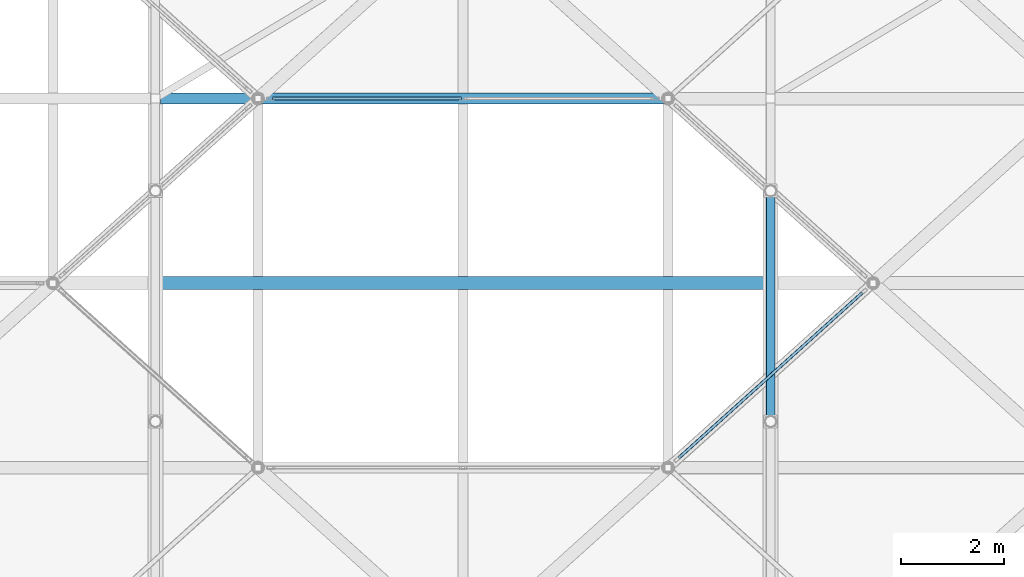
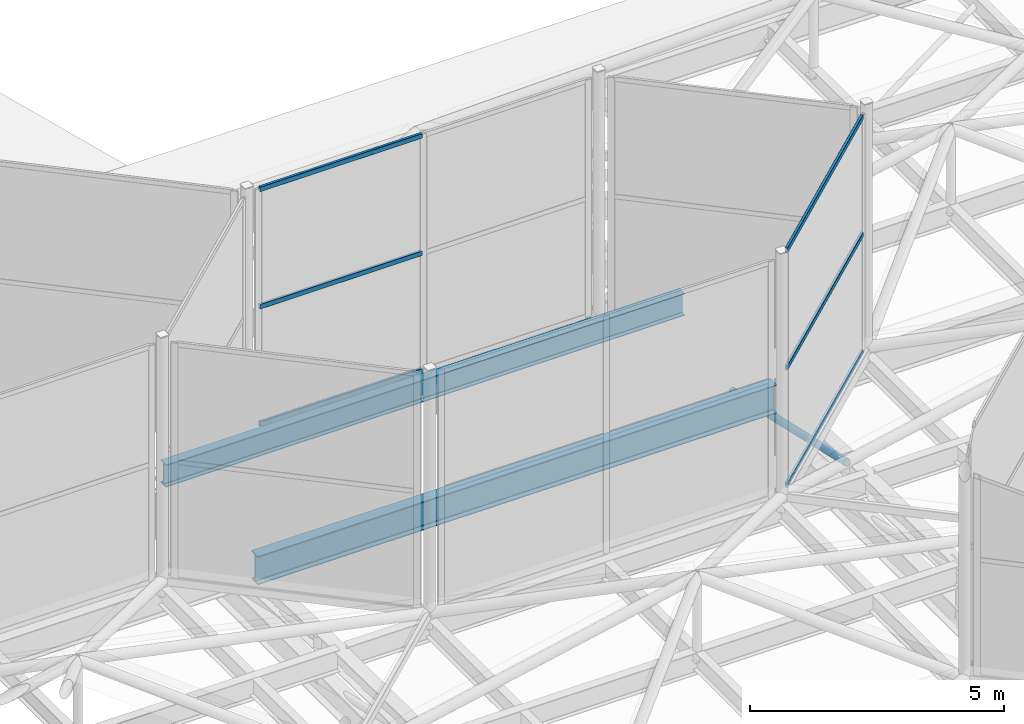
# One storey, part 88 of 239: 7 members, 2 beams, 2 elements without a shape of their own.
"""IFC4 building model written with IfcOpenShell, lengths in metres."""

from ifc_helpers import new_model, si_unit, direction, frame, origin, origin_2d, place, context, subcontext, project, spatial, hollow_rectangle, hollow_circle, i_section, extrude, material, layer, layer_set, material_profile, profile_set, type_object, element, aggregate, save


model = new_model("IFC4")

# Units and contexts
model_context = context("Model", 3, precision=1e-05, world=origin(), true_north=direction((0.0, 1.0)))
body_context = subcontext(model_context, "Body", "Model", "MODEL_VIEW")
ifc_project = project(units=[si_unit("LENGTHUNIT", "METRE"), si_unit("AREAUNIT", "SQUARE_METRE"), si_unit("VOLUMEUNIT", "CUBIC_METRE"), si_unit("PLANEANGLEUNIT", "RADIAN"), si_unit("MASSUNIT", "GRAM", prefix="KILO")], contexts=[model_context])

# Site, building, storey
site_placement = place(None, origin())
site = spatial("IfcSite", under=ifc_project, at=site_placement, CompositionType="ELEMENT")
building_placement = place(site_placement, origin())
building = spatial("IfcBuilding", under=site, at=building_placement, Name="Dunvalen Ferry Terminal", CompositionType="ELEMENT")
storey_placement = place(building_placement, frame((0.0, 0.0, 9.840087890625)))
storey = spatial("IfcBuildingStorey", under=building, at=storey_placement, Name="L02", CompositionType="ELEMENT", Elevation=9.840087890625)

# Curtain wall, members
ifc_material_1 = material(Name="Anodised marine aluminium and solar-control glazing", Category="aluminium")
ifc_layer = layer(ifc_material_1, 0.179931640625, Name="Anodised marine aluminium and solar-control glazing")
ifc_layer_set = layer_set([ifc_layer], Name="Anodised marine aluminium and solar-control glazing")
curtain_wall_type = type_object("IfcCurtainWallType", Name="ENV-CW-SYS-05", PredefinedType="NOTDEFINED", material=ifc_layer_set)
curtain_wall_1_placement = place(storey_placement, origin())
curtain_wall_1 = element("IfcCurtainWall", 1, at=curtain_wall_1_placement, inside=storey, type_object=curtain_wall_type, Name="L02 Curtain Wall CW-HEX-21-SK-3", PredefinedType="NOTDEFINED")
ifc_material_2 = material(Name="Anodised marine aluminium EN AW-6063 T6", Category="aluminium")
ifc_material_profile_1 = material_profile(ifc_material_2, hollow_rectangle(XDim=0.06005859375, YDim=0.114990234375, WallThickness=0.0029296875, InnerFilletRadius=0.0029296875, OuterFilletRadius=0.006103515625, at=origin_2d()), Name="Anodised marine aluminium EN AW-6063 T6")
ifc_profile_set_1 = profile_set([ifc_material_profile_1], Name="Anodised marine aluminium EN AW-6063 T6")
member_type_1 = type_object("IfcMemberType", Name="ENV-CW-TRN-3", PredefinedType="USERDEFINED", material=ifc_profile_set_1)
member_1_placement = place(storey_placement, frame((46.2080078125, 72.187255859375, 1.169921875), z_axis=(0.743319323261, 0.668936756104, 0.0), x_axis=(-0.668936756104, 0.743319323261, 0.0)))
member_1 = element("IfcMember", 2, at=member_1_placement, type_object=member_type_1, Name="CW-05 transom 1.1", ObjectType="TRANSOM", PredefinedType="USERDEFINED", context=body_context, shape_type="SweptSolid", body=[
    extrude(hollow_rectangle(XDim=0.06005859375, YDim=0.114990234375, WallThickness=0.0029296875, InnerFilletRadius=0.0029296875, OuterFilletRadius=0.006103515625, at=origin_2d()), origin(), (0.0, 0.0, 1.0), 4.821533203125),
])
member_2_placement = place(storey_placement, frame((46.2080078125, 72.187255859375, 3.989990234375), z_axis=(0.743319323261, 0.668936756104, 0.0), x_axis=(-0.668936756104, 0.743319323261, 0.0)))
member_2 = element("IfcMember", 3, at=member_2_placement, type_object=member_type_1, Name="CW-05 transom 1.2", ObjectType="TRANSOM", PredefinedType="USERDEFINED", context=body_context, shape_type="SweptSolid", body=[
    extrude(hollow_rectangle(XDim=0.06005859375, YDim=0.114990234375, WallThickness=0.0029296875, InnerFilletRadius=0.0029296875, OuterFilletRadius=0.006103515625, at=origin_2d()), origin(), (0.0, 0.0, 1.0), 4.821533203125),
])
member_3_placement = place(storey_placement, frame((46.2080078125, 72.187255859375, 6.809814453125), z_axis=(0.743319323261, 0.668936756104, 0.0), x_axis=(-0.668936756104, 0.743319323261, 0.0)))
member_3 = element("IfcMember", 4, at=member_3_placement, type_object=member_type_1, Name="CW-05 transom 1.3", ObjectType="TRANSOM", PredefinedType="USERDEFINED", context=body_context, shape_type="SweptSolid", body=[
    extrude(hollow_rectangle(XDim=0.06005859375, YDim=0.114990234375, WallThickness=0.0029296875, InnerFilletRadius=0.0029296875, OuterFilletRadius=0.006103515625, at=origin_2d()), origin(), (0.0, 0.0, 1.0), 4.821533203125),
])
aggregate(curtain_wall_1, [member_1, member_2, member_3])

curtain_wall_2_placement = place(storey_placement, origin())
curtain_wall_2 = element("IfcCurtainWall", 5, at=curtain_wall_2_placement, inside=storey, type_object=curtain_wall_type, Name="L02 Curtain Wall CW-HEX-21-SK-5", PredefinedType="NOTDEFINED")
member_4_placement = place(storey_placement, frame((41.969970703125, 79.199951171875, 1.169921875), z_axis=(-1.0, 0.0, 0.0), x_axis=(0.0, -1.0, 0.0)))
member_4 = element("IfcMember", 6, at=member_4_placement, type_object=member_type_1, Name="CW-05 transom 2.1", ObjectType="TRANSOM", PredefinedType="USERDEFINED", context=body_context, shape_type="SweptSolid", body=[
    extrude(hollow_rectangle(XDim=0.06005859375, YDim=0.114990234375, WallThickness=0.0029296875, InnerFilletRadius=0.0029296875, OuterFilletRadius=0.006103515625, at=origin_2d()), origin(), (0.0, 0.0, 1.0), 3.68994140625),
])
member_5_placement = place(storey_placement, frame((41.969970703125, 79.199951171875, 3.989990234375), z_axis=(-1.0, 0.0, 0.0), x_axis=(0.0, -1.0, 0.0)))
member_5 = element("IfcMember", 7, at=member_5_placement, type_object=member_type_1, Name="CW-05 transom 2.2", ObjectType="TRANSOM", PredefinedType="USERDEFINED", context=body_context, shape_type="SweptSolid", body=[
    extrude(hollow_rectangle(XDim=0.06005859375, YDim=0.114990234375, WallThickness=0.0029296875, InnerFilletRadius=0.0029296875, OuterFilletRadius=0.006103515625, at=origin_2d()), origin(), (0.0, 0.0, 1.0), 3.68994140625),
])
member_6_placement = place(storey_placement, frame((41.969970703125, 79.199951171875, 6.809814453125), z_axis=(-1.0, 0.0, 0.0), x_axis=(0.0, -1.0, 0.0)))
member_6 = element("IfcMember", 8, at=member_6_placement, type_object=member_type_1, Name="CW-05 transom 2.3", ObjectType="TRANSOM", PredefinedType="USERDEFINED", context=body_context, shape_type="SweptSolid", body=[
    extrude(hollow_rectangle(XDim=0.06005859375, YDim=0.114990234375, WallThickness=0.0029296875, InnerFilletRadius=0.0029296875, OuterFilletRadius=0.006103515625, at=origin_2d()), origin(), (0.0, 0.0, 1.0), 3.68994140625),
])
aggregate(curtain_wall_2, [member_4, member_5, member_6])

# Beams
ifc_material_3 = material(Name="Steel S355", Category="steel")
ifc_material_profile_2 = material_profile(ifc_material_3, i_section(OverallWidth=0.209228515625, OverallDepth=0.533203125, WebThickness=0.010009765625, FlangeThickness=0.015625, FilletRadius=0.0126953125, at=origin_2d()), Name="Steel S355")
ifc_profile_set_2 = profile_set([ifc_material_profile_2], Name="Steel S355")
beam_type_1 = type_object("IfcBeamType", Name="STR-BM-UKB533", PredefinedType="BEAM", material=ifc_profile_set_2)
beam_1_placement = place(storey_placement, frame((36.10009765625, 79.199951171875, 0.7333984375), z_axis=(1.0, 0.0, 0.0), x_axis=(0.0, 1.0, 0.0)))
element("IfcBeam", 9, at=beam_1_placement, inside=storey, type_object=beam_type_1, Name="Departure Hall Spine Girder B3.09", PredefinedType="BEAM", context=body_context, shape_type="SweptSolid", body=[
    extrude(i_section(OverallWidth=0.209228515625, OverallDepth=0.533203125, WebThickness=0.010009765625, FlangeThickness=0.015625, FilletRadius=0.0126953125, at=origin_2d()), origin(), (0.0, 0.0, 1.0), 11.7998046875),
])
ifc_material_profile_3 = material_profile(ifc_material_3, i_section(OverallWidth=0.253662109375, OverallDepth=0.68359375, WebThickness=0.012451171875, FlangeThickness=0.01904296875, FilletRadius=0.01513671875, at=origin_2d()), Name="Steel S355")
ifc_profile_set_3 = profile_set([ifc_material_profile_3], Name="Steel S355")
beam_type_2 = type_object("IfcBeamType", Name="STR-BM-UKB686", PredefinedType="BEAM", material=ifc_profile_set_3)
beam_2_placement = place(storey_placement, frame((36.10009765625, 75.60009765625, 0.658203125), z_axis=(1.0, 0.0, 0.0), x_axis=(0.0, 1.0, 0.0)))
element("IfcBeam", 10, at=beam_2_placement, inside=storey, type_object=beam_type_2, Name="Departure Hall Spine Girder B3.08", PredefinedType="BEAM", context=body_context, shape_type="SweptSolid", body=[
    extrude(i_section(OverallWidth=0.253662109375, OverallDepth=0.68359375, WebThickness=0.012451171875, FlangeThickness=0.01904296875, FilletRadius=0.01513671875, at=origin_2d()), origin(), (0.0, 0.0, 1.0), 11.7998046875),
])

# Member
ifc_material_profile_4 = material_profile(ifc_material_3, hollow_circle(Radius=0.084228515625, WallThickness=0.008056640625, at=origin_2d()), Name="Steel S355")
ifc_profile_set_4 = profile_set([ifc_material_profile_4], Name="Steel S355")
member_type_2 = type_object("IfcMemberType", Name="STR-MB-CHS168", PredefinedType="BRACE", material=ifc_profile_set_4)
member_7_placement = place(storey_placement, frame((48.0, 72.89990234375, 0.65869140625), z_axis=(0.0, 0.975316524259, -0.220811407104), x_axis=(-1.0, 0.0, 0.0)))
element("IfcMember", 11, at=member_7_placement, inside=storey, type_object=member_type_2, Name="Departure Hall Arch Web Diagonal 04.6", PredefinedType="BRACE", context=body_context, shape_type="SweptSolid", body=[
    extrude(hollow_circle(Radius=0.084228515625, WallThickness=0.008056640625, at=origin_2d()), origin(), (0.0, 0.0, 1.0), 4.61376953125),
])

save(model, "model.ifc")
